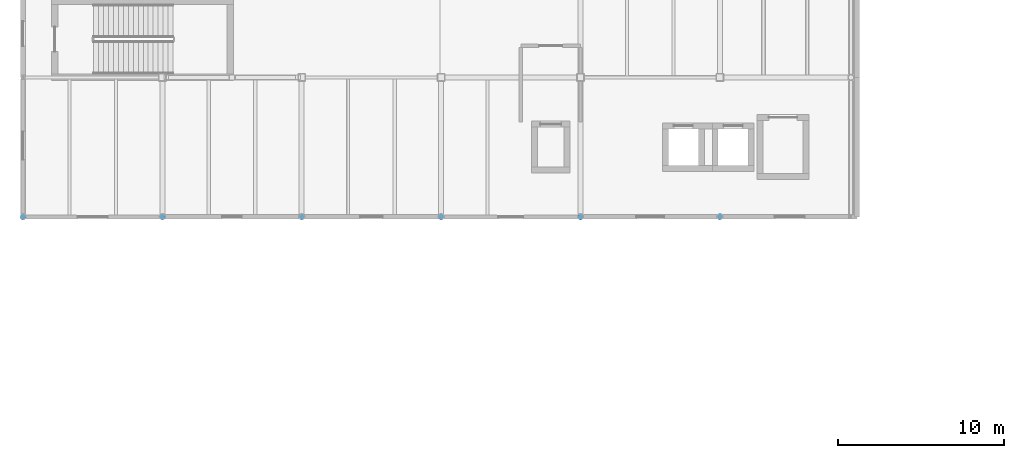
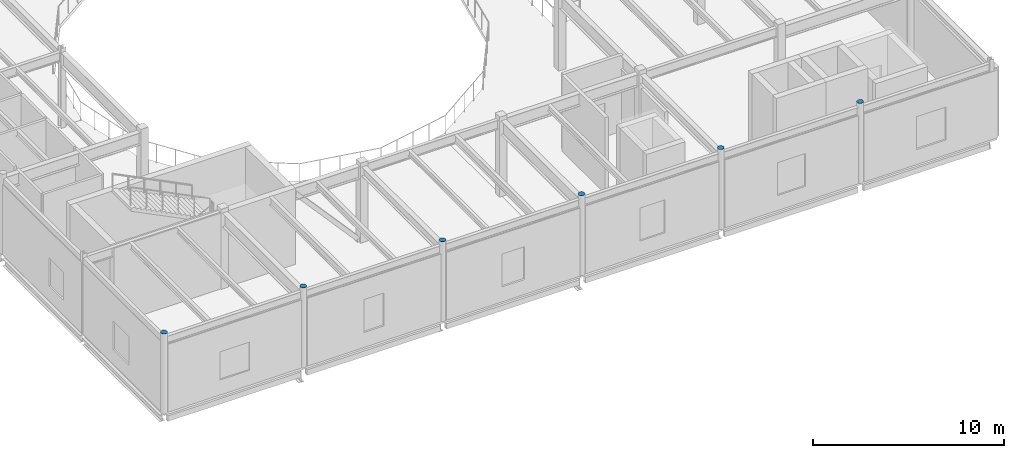
# One storey, part 39 of 57: 6 discrete accessories.
"""IFC4 building model written with IfcOpenShell, lengths in metres."""

from ifc_helpers import new_model, si_unit, direction, frame, origin, origin_2d, place, context, subcontext, project, spatial, circle, extrude, material, type_object, element, save


model = new_model("IFC4")

# Units and contexts
model_context = context("Model", 3, precision=1e-05, world=origin(), true_north=direction((0.0, 1.0)))
body_context = subcontext(model_context, "Body", "Model", "MODEL_VIEW")
ifc_project = project(units=[si_unit("LENGTHUNIT", "METRE"), si_unit("AREAUNIT", "SQUARE_METRE"), si_unit("VOLUMEUNIT", "CUBIC_METRE"), si_unit("PLANEANGLEUNIT", "RADIAN"), si_unit("MASSUNIT", "GRAM", prefix="KILO"), si_unit("THERMODYNAMICTEMPERATUREUNIT", "KELVIN")], contexts=[model_context])

# Site, building, storey
site_placement = place(None, origin())
site = spatial("IfcSite", under=ifc_project, at=site_placement, CompositionType="ELEMENT")
building_placement = place(site_placement, origin())
building = spatial("IfcBuilding", under=site, at=building_placement, Name="Lustrewick Department Store", CompositionType="ELEMENT")
storey_placement = place(building_placement, frame((0.0, 0.0, 26.699951171875)))
storey = spatial("IfcBuildingStorey", under=building, at=storey_placement, Name="L06", CompositionType="ELEMENT", Elevation=26.699951171875)

# Discrete accessories
ifc_material = material(Name="Structural steel Q355C", Category="steel")
discrete_accessory_type = type_object("IfcDiscreteAccessoryType", Name="ECP-01", PredefinedType="USERDEFINED", material=ifc_material)
for number, where, z_axis, x_axis, name in (
    (1, (16.800048828125, 42.0, 5.093994140625), (0.0, 0.0, 1.0), (1.0, 0.0, 0.0), "L06 Welded Hollow-Section End-Cap Plate ECP-01"),
    (2, (8.39990234375, 42.0, 5.093994140625), (0.0, 0.0, 1.0), (1.0, 0.0, 0.0), "L06 Welded Hollow-Section End-Cap Plate ECP-01"),
    (3, (25.199951171875, 42.0, 5.093994140625), (0.0, 0.0, 1.0), (1.0, 0.0, 0.0), "L06 Welded Hollow-Section End-Cap Plate ECP-01"),
    (4, (33.60009765625, 42.0, 5.093994140625), (0.0, 0.0, 1.0), (1.0, 0.0, 0.0), "L06 Welded Hollow-Section End-Cap Plate ECP-01"),
    (5, (42.0, 42.0, 5.093994140625), (0.0, 0.0, 1.0), (1.0, 0.0, 0.0), "L06 Welded Hollow-Section End-Cap Plate ECP-01"),
    (6, (50.39990234375, 42.0, 5.093994140625), (0.0, 0.0, 1.0), (1.0, 0.0, 0.0), "L06 Welded Hollow-Section End-Cap Plate ECP-01"),
):
    element("IfcDiscreteAccessory", number, at=place(storey_placement, frame(where, z_axis=z_axis, x_axis=x_axis)), inside=storey, type_object=discrete_accessory_type, Name=name, ObjectType="END_CAP_PLATE", PredefinedType="USERDEFINED", context=body_context, shape_type="SweptSolid", body=[
        extrude(circle(Radius=0.177978515625, at=origin_2d()), origin(), (0.0, 0.0, 1.0), 0.01611328125),
    ])

save(model, "model.ifc")
